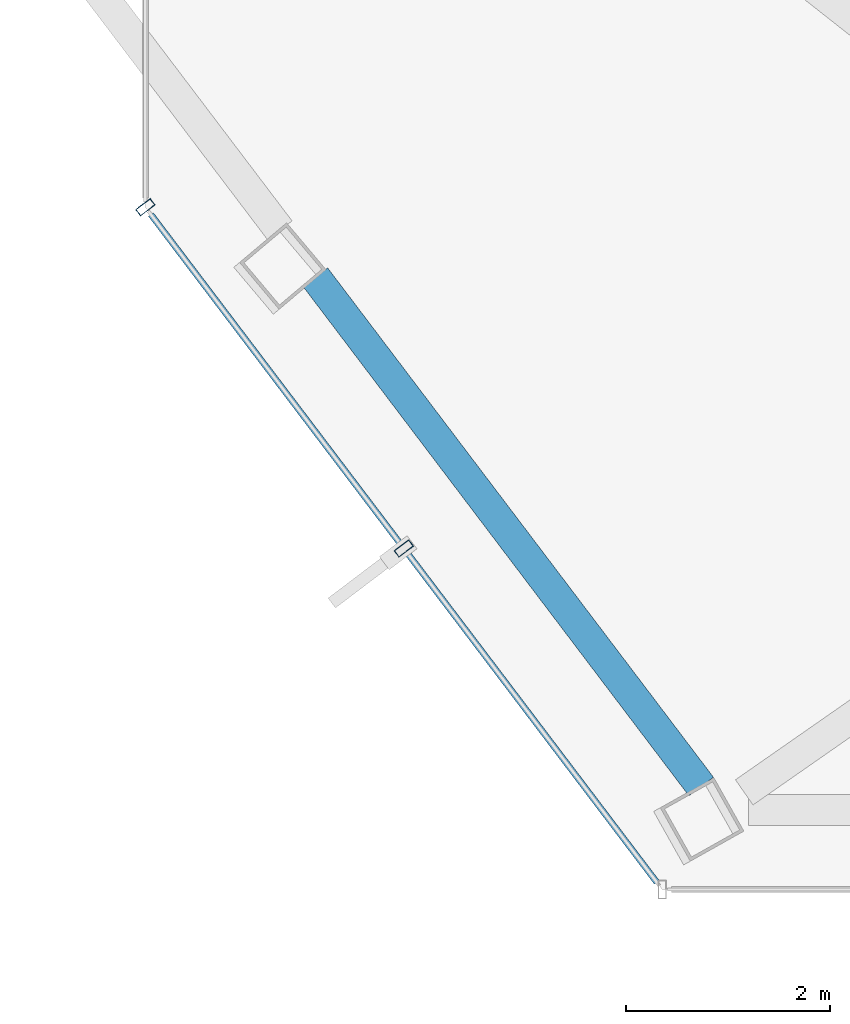
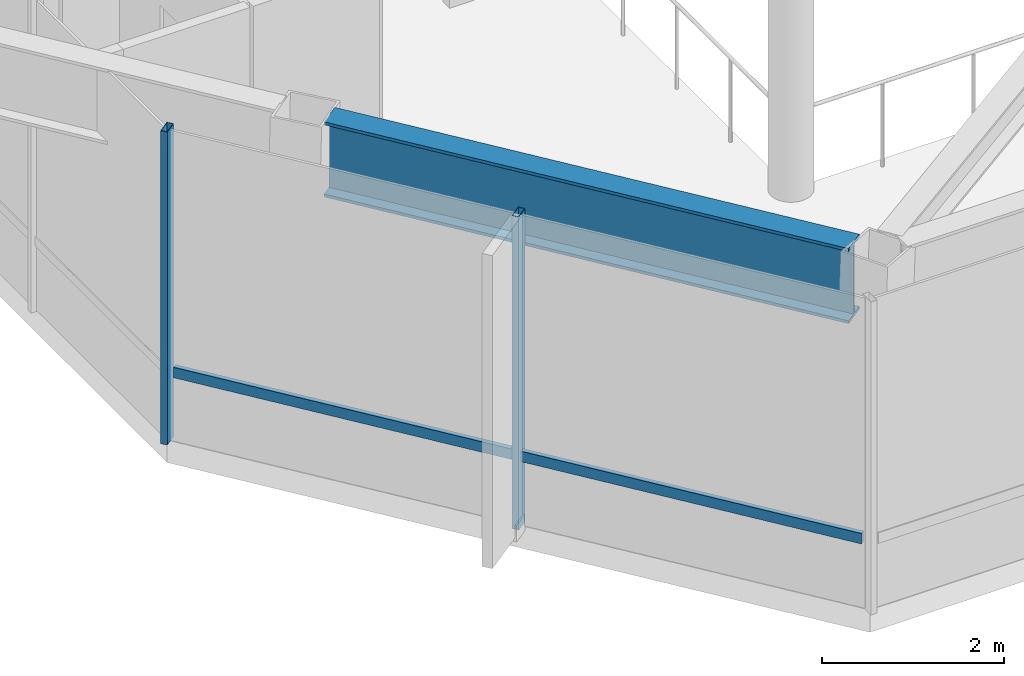
# One storey, part 2 of 22: 3 members, 1 beam, 1 element without a shape of its own.
"""IFC4 building model written with IfcOpenShell, lengths in metres."""

from ifc_helpers import new_model, si_unit, direction, frame, origin, origin_2d, place, context, subcontext, project, spatial, hollow_rectangle, i_section, extrude, material, layer, layer_set, material_profile, profile_set, type_object, element, aggregate, save


model = new_model("IFC4")

# Units and contexts
model_context = context("Model", 3, precision=1e-05, world=origin(), true_north=direction((0.0, 1.0)))
body_context = subcontext(model_context, "Body", "Model", "MODEL_VIEW")
ifc_project = project(units=[si_unit("LENGTHUNIT", "METRE"), si_unit("AREAUNIT", "SQUARE_METRE"), si_unit("VOLUMEUNIT", "CUBIC_METRE"), si_unit("PLANEANGLEUNIT", "RADIAN"), si_unit("MASSUNIT", "GRAM", prefix="KILO")], contexts=[model_context])

# Site, building, storey
site_placement = place(None, origin())
site = spatial("IfcSite", under=ifc_project, at=site_placement, CompositionType="ELEMENT")
building_placement = place(site_placement, origin())
building = spatial("IfcBuilding", under=site, at=building_placement, Name="Zarrinselat Tower", CompositionType="ELEMENT")
storey_placement = place(building_placement, frame((0.0, 0.0, 204.340087890625)))
storey = spatial("IfcBuildingStorey", under=building, at=storey_placement, Name="L50", CompositionType="ELEMENT", Elevation=204.340087890625)

# Beam
ifc_material_1 = material(Name="Steel S460M", Category="steel")
ifc_material_profile_1 = material_profile(ifc_material_1, i_section(OverallWidth=0.302001953125, OverallDepth=1.008056640625, WebThickness=0.02099609375, FlangeThickness=0.0400390625, at=origin_2d()), Name="HEM 1000")
ifc_profile_set_1 = profile_set([ifc_material_profile_1], Name="Steel S460M")
beam_type = type_object("IfcBeamType", Name="BM-HEM1000", PredefinedType="BEAM", material=ifc_profile_set_1)
beam_placement = place(storey_placement, frame((28.32177734375, 23.777587890625, 3.69580078125), z_axis=(0.603844917099, -0.797101822914, 0.0), x_axis=(0.797101822914, 0.603844917099, 0.0)))
element("IfcBeam", 1, at=beam_placement, inside=storey, type_object=beam_type, Name="L50 Perimeter Spandrel Girder SP09", PredefinedType="BEAM", context=body_context, shape_type="SweptSolid", body=[
    extrude(i_section(OverallWidth=0.302001953125, OverallDepth=1.008056640625, WebThickness=0.02099609375, FlangeThickness=0.0400390625, at=origin_2d()), origin(), (0.0, 0.0, 1.0), 6.257080078125),
])

# Curtain wall, members
ifc_material_2 = material(Name="Extruded Aluminium Alloy EN AW-6063 T6", Category="aluminium")
ifc_layer = layer(ifc_material_2, 0.195068359375)
ifc_layer_set = layer_set([ifc_layer], Name="Extruded Aluminium Alloy EN AW-6063 T6")
curtain_wall_type = type_object("IfcCurtainWallType", Name="CWS-GDN", PredefinedType="NOTDEFINED", material=ifc_layer_set)
curtain_wall_placement = place(storey_placement, origin())
curtain_wall = element("IfcCurtainWall", 2, at=curtain_wall_placement, inside=storey, type_object=curtain_wall_type, Name="L50 Unitised Curtain Wall CW-L50-E06", PredefinedType="NOTDEFINED")
ifc_material_3 = material(Name="Extruded Aluminium Alloy EN AW-6063 T6", Category="aluminium")
ifc_material_profile_2 = material_profile(ifc_material_3, hollow_rectangle(XDim=0.080078125, YDim=0.179931640625, WallThickness=0.0048828125, at=origin_2d()), Name="RHS 180x80x5")
ifc_profile_set_2 = profile_set([ifc_material_profile_2], Name="Extruded Aluminium Alloy EN AW-6063 T6")
member_type_1 = type_object("IfcMemberType", Name="MEM-CW-MUL", PredefinedType="MULLION", material=ifc_profile_set_2)
member_1_placement = place(storey_placement, frame((29.1884765625, 21.121337890625, 0.0), z_axis=(0.0, 0.0, 1.0), x_axis=(-0.603858445775, 0.797091574078, 0.0)))
member_1 = element("IfcMember", 3, at=member_1_placement, type_object=member_type_1, Name="CW-L50-E06 Mullion 1", PredefinedType="MULLION", context=body_context, shape_type="SweptSolid", body=[
    extrude(hollow_rectangle(XDim=0.080078125, YDim=0.179931640625, WallThickness=0.0048828125, at=origin_2d()), origin(), (0.0, 0.0, 1.0), 4.199951171875),
])
member_2_placement = place(storey_placement, frame((26.65771484375, 24.462158203125, 0.0), z_axis=(0.0, 0.0, 1.0), x_axis=(-0.603858445775, 0.797091574078, 0.0)))
member_2 = element("IfcMember", 4, at=member_2_placement, type_object=member_type_1, Name="CW-L50-E06 Mullion 2", PredefinedType="MULLION", context=body_context, shape_type="SweptSolid", body=[
    extrude(hollow_rectangle(XDim=0.080078125, YDim=0.179931640625, WallThickness=0.0048828125, at=origin_2d()), origin(), (0.0, 0.0, 1.0), 4.199951171875),
])
ifc_material_4 = material(Name="Extruded Aluminium Alloy EN AW-6063 T6", Category="aluminium")
ifc_material_profile_3 = material_profile(ifc_material_4, hollow_rectangle(XDim=0.06005859375, YDim=0.139892578125, WallThickness=0.00390625, at=origin_2d()), Name="RHS 140x60x4")
ifc_profile_set_3 = profile_set([ifc_material_profile_3], Name="Extruded Aluminium Alloy EN AW-6063 T6")
member_type_2 = type_object("IfcMemberType", Name="MEM-CW-TRN", PredefinedType="USERDEFINED", material=ifc_profile_set_3)
member_3_placement = place(storey_placement, frame((31.6650390625, 17.852294921875, 0.949951171875), z_axis=(-0.603859980233, 0.797090411605, 0.0), x_axis=(-0.797090411605, -0.603859980233, 0.0)))
member_3 = element("IfcMember", 5, at=member_3_placement, type_object=member_type_2, Name="CW-L50-E06 Transom 1", ObjectType="TRANSOM", PredefinedType="USERDEFINED", context=body_context, shape_type="SweptSolid", body=[
    extrude(hollow_rectangle(XDim=0.06005859375, YDim=0.139892578125, WallThickness=0.00390625, at=origin_2d()), origin(), (0.0, 0.0, 1.0), 8.202392578125),
])
aggregate(curtain_wall, [member_1, member_2, member_3])

save(model, "model.ifc")
